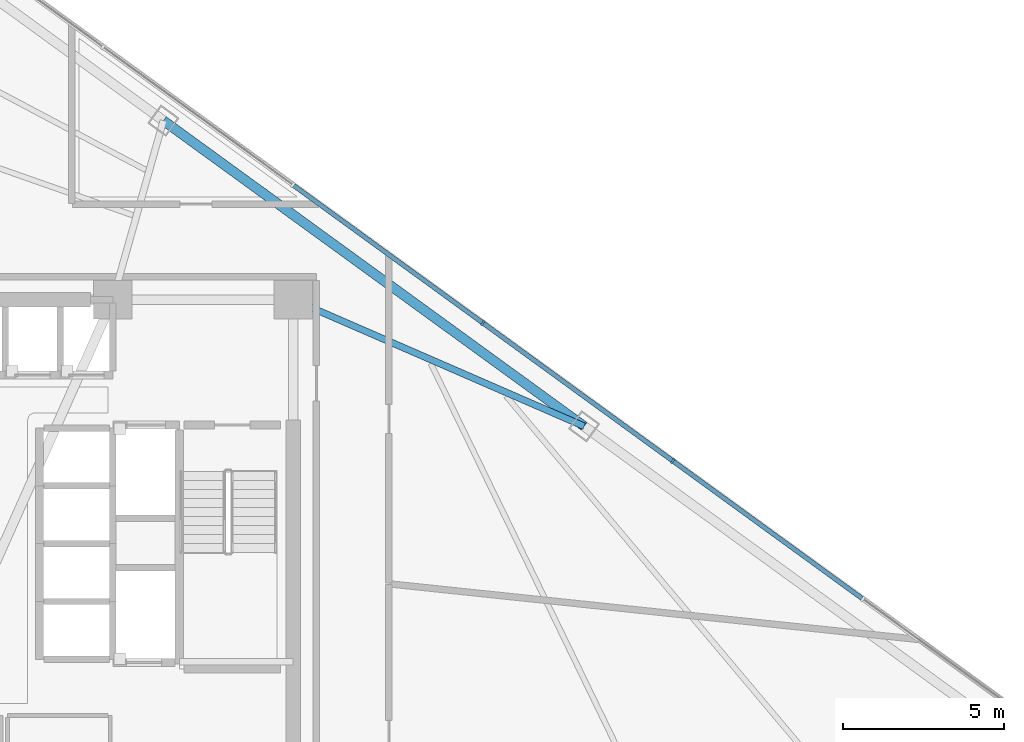
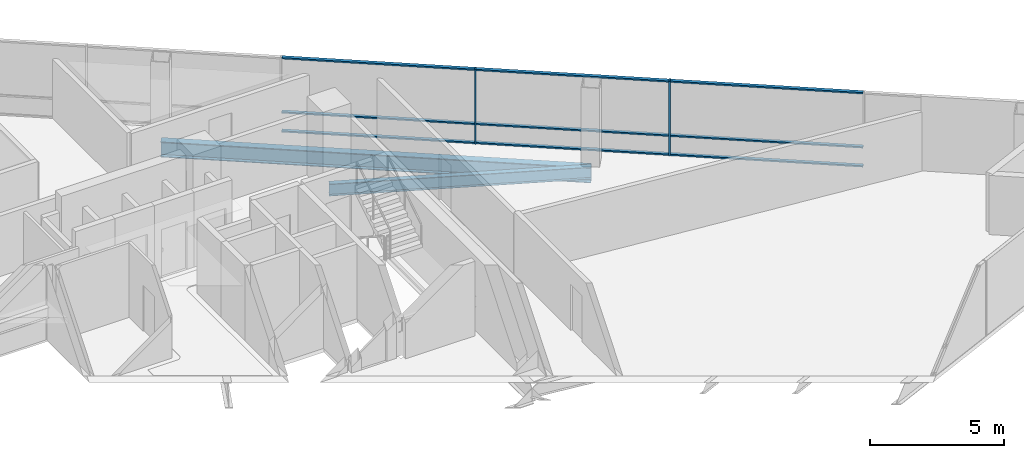
# One storey, part 9 of 17: 11 members, 2 beams, 1 element without a shape of its own.
"""IFC4 building model written with IfcOpenShell, lengths in metres."""

from ifc_helpers import new_model, si_unit, direction, frame, origin, origin_2d, place, context, subcontext, project, spatial, rectangle, i_section, extrude, material, layer, layer_set, material_profile, profile_set, type_object, element, aggregate, save


model = new_model("IFC4")

# Units and contexts
model_context = context("Model", 3, precision=1e-05, world=origin(), true_north=direction((0.0, 1.0)))
body_context = subcontext(model_context, "Body", "Model", "MODEL_VIEW")
ifc_project = project(units=[si_unit("LENGTHUNIT", "METRE"), si_unit("AREAUNIT", "SQUARE_METRE"), si_unit("VOLUMEUNIT", "CUBIC_METRE"), si_unit("PLANEANGLEUNIT", "RADIAN"), si_unit("MASSUNIT", "GRAM", prefix="KILO")], contexts=[model_context])

# Site, building, storey
site_placement = place(None, origin())
site = spatial("IfcSite", under=ifc_project, at=site_placement, CompositionType="ELEMENT")
building_placement = place(site_placement, origin())
building = spatial("IfcBuilding", under=site, at=building_placement, Name="Tharavind Bronze Gate", CompositionType="ELEMENT")
storey_placement = place(building_placement, frame((0.0, 0.0, 119.64990234375)))
storey = spatial("IfcBuildingStorey", under=building, at=storey_placement, Name="L30", CompositionType="ELEMENT", Elevation=119.64990234375)

# Curtain wall, members
ifc_material_1 = material(Name="Anodised Bronze Aluminium", Category="aluminium")
ifc_layer = layer(ifc_material_1, 0.219970703125)
ifc_layer_set = layer_set([ifc_layer], Name="Anodised Bronze Aluminium")
curtain_wall_type = type_object("IfcCurtainWallType", Name="UNITISED CURTAIN WALL LOWER OFFICE", PredefinedType="USERDEFINED", material=ifc_layer_set)
curtain_wall_placement = place(storey_placement, origin())
curtain_wall = element("IfcCurtainWall", 1, at=curtain_wall_placement, inside=storey, type_object=curtain_wall_type, Name="L30 unitised curtain wall lower office CW-L30-S3", ObjectType="UNITISED CURTAIN WALL", PredefinedType="USERDEFINED")
member_type_1 = type_object("IfcMemberType", Name="CURTAIN WALL BRONZE MULLION 65X180", PredefinedType="MULLION", material=ifc_material_1)
member_1_placement = place(storey_placement, frame((20.724365234375, 2.577392578125, 0.0), z_axis=(0.0, 0.0, 1.0), x_axis=(-0.809016994375, 0.587785252292, 0.0)))
member_1 = element("IfcMember", 2, at=member_1_placement, type_object=member_type_1, Name="CW-L30-S3 mullion 3", PredefinedType="MULLION", context=body_context, shape_type="SweptSolid", body=[
    extrude(rectangle(XDim=0.06494140625, YDim=0.179931640625, at=origin_2d()), origin(), (0.0, 0.0, 1.0), 3.409912109375),
])
member_2_placement = place(storey_placement, frame((14.807861328125, 6.876220703125, 0.0), z_axis=(0.0, 0.0, 1.0), x_axis=(-0.809016994375, 0.587785252292, 0.0)))
member_2 = element("IfcMember", 3, at=member_2_placement, type_object=member_type_1, Name="CW-L30-S3 mullion 4", PredefinedType="MULLION", context=body_context, shape_type="SweptSolid", body=[
    extrude(rectangle(XDim=0.06494140625, YDim=0.179931640625, at=origin_2d()), origin(), (0.0, 0.0, 1.0), 3.409912109375),
])
member_type_2 = type_object("IfcMemberType", Name="CURTAIN WALL BRONZE TRANSOM 65X140", PredefinedType="USERDEFINED", material=ifc_material_1)
member_3_placement = place(storey_placement, frame((23.6826171875, 0.427978515625, 0.000244140625), z_axis=(0.0, 0.0, 1.0), x_axis=(-0.809016994375, 0.587785252292, 0.0)))
member_3 = element("IfcMember", 4, at=member_3_placement, type_object=member_type_2, Name="CW-L30-S3 transom TB2", ObjectType="TRANSOM", PredefinedType="USERDEFINED", context=body_context, shape_type="SweptSolid", body=[
    extrude(rectangle(XDim=7.260498046875, YDim=0.139892578125, at=origin_2d()), origin(), (0.0, 0.0, 1.0), 0.06494140625),
])
member_4_placement = place(storey_placement, frame((23.6826171875, 0.427978515625, 0.86767578125), z_axis=(0.0, 0.0, 1.0), x_axis=(-0.809016994375, 0.587785252292, 0.0)))
member_4 = element("IfcMember", 5, at=member_4_placement, type_object=member_type_2, Name="CW-L30-S3 transom TS2", ObjectType="TRANSOM", PredefinedType="USERDEFINED", context=body_context, shape_type="SweptSolid", body=[
    extrude(rectangle(XDim=7.260498046875, YDim=0.139892578125, at=origin_2d()), origin(), (0.0, 0.0, 1.0), 0.06494140625),
])
member_5_placement = place(storey_placement, frame((23.6826171875, 0.427978515625, 3.34521484375), z_axis=(0.0, 0.0, 1.0), x_axis=(-0.809016994375, 0.587785252292, 0.0)))
member_5 = element("IfcMember", 6, at=member_5_placement, type_object=member_type_2, Name="CW-L30-S3 transom TT2", ObjectType="TRANSOM", PredefinedType="USERDEFINED", context=body_context, shape_type="SweptSolid", body=[
    extrude(rectangle(XDim=7.260498046875, YDim=0.139892578125, at=origin_2d()), origin(), (0.0, 0.0, 1.0), 0.06494140625),
])
member_6_placement = place(storey_placement, frame((17.76611328125, 4.726806640625, 0.000244140625), z_axis=(0.0, 0.0, 1.0), x_axis=(-0.809016994375, 0.587785252292, 0.0)))
member_6 = element("IfcMember", 7, at=member_6_placement, type_object=member_type_2, Name="CW-L30-S3 transom TB3", ObjectType="TRANSOM", PredefinedType="USERDEFINED", context=body_context, shape_type="SweptSolid", body=[
    extrude(rectangle(XDim=7.260498046875, YDim=0.139892578125, at=origin_2d()), origin(), (0.0, 0.0, 1.0), 0.06494140625),
])
member_7_placement = place(storey_placement, frame((17.76611328125, 4.726806640625, 0.86767578125), z_axis=(0.0, 0.0, 1.0), x_axis=(-0.809016994375, 0.587785252292, 0.0)))
member_7 = element("IfcMember", 8, at=member_7_placement, type_object=member_type_2, Name="CW-L30-S3 transom TS3", ObjectType="TRANSOM", PredefinedType="USERDEFINED", context=body_context, shape_type="SweptSolid", body=[
    extrude(rectangle(XDim=7.260498046875, YDim=0.139892578125, at=origin_2d()), origin(), (0.0, 0.0, 1.0), 0.06494140625),
])
member_8_placement = place(storey_placement, frame((17.76611328125, 4.726806640625, 3.34521484375), z_axis=(0.0, 0.0, 1.0), x_axis=(-0.809016994375, 0.587785252292, 0.0)))
member_8 = element("IfcMember", 9, at=member_8_placement, type_object=member_type_2, Name="CW-L30-S3 transom TT3", ObjectType="TRANSOM", PredefinedType="USERDEFINED", context=body_context, shape_type="SweptSolid", body=[
    extrude(rectangle(XDim=7.260498046875, YDim=0.139892578125, at=origin_2d()), origin(), (0.0, 0.0, 1.0), 0.06494140625),
])
member_9_placement = place(storey_placement, frame((11.849365234375, 9.025390625, 0.000244140625), z_axis=(0.0, 0.0, 1.0), x_axis=(-0.809016994375, 0.587785252292, 0.0)))
member_9 = element("IfcMember", 10, at=member_9_placement, type_object=member_type_2, Name="CW-L30-S3 transom TB4", ObjectType="TRANSOM", PredefinedType="USERDEFINED", context=body_context, shape_type="SweptSolid", body=[
    extrude(rectangle(XDim=7.260498046875, YDim=0.139892578125, at=origin_2d()), origin(), (0.0, 0.0, 1.0), 0.06494140625),
])
member_10_placement = place(storey_placement, frame((11.849365234375, 9.025390625, 0.86767578125), z_axis=(0.0, 0.0, 1.0), x_axis=(-0.809016994375, 0.587785252292, 0.0)))
member_10 = element("IfcMember", 11, at=member_10_placement, type_object=member_type_2, Name="CW-L30-S3 transom TS4", ObjectType="TRANSOM", PredefinedType="USERDEFINED", context=body_context, shape_type="SweptSolid", body=[
    extrude(rectangle(XDim=7.260498046875, YDim=0.139892578125, at=origin_2d()), origin(), (0.0, 0.0, 1.0), 0.06494140625),
])
member_11_placement = place(storey_placement, frame((11.849365234375, 9.025390625, 3.34521484375), z_axis=(0.0, 0.0, 1.0), x_axis=(-0.809016994375, 0.587785252292, 0.0)))
member_11 = element("IfcMember", 12, at=member_11_placement, type_object=member_type_2, Name="CW-L30-S3 transom TT4", ObjectType="TRANSOM", PredefinedType="USERDEFINED", context=body_context, shape_type="SweptSolid", body=[
    extrude(rectangle(XDim=7.260498046875, YDim=0.139892578125, at=origin_2d()), origin(), (0.0, 0.0, 1.0), 0.06494140625),
])
aggregate(curtain_wall, [member_1, member_2, member_3, member_4, member_5, member_6, member_7, member_8, member_9, member_10, member_11])

# Beams
ifc_material_2 = material(Name="Steel S355", Category="steel")
ifc_material_profile_1 = material_profile(ifc_material_2, i_section(OverallWidth=0.2099609375, OverallDepth=0.550048828125, WebThickness=0.010986328125, FlangeThickness=0.01708984375, at=origin_2d()), Name="IPE550")
ifc_profile_set_1 = profile_set([ifc_material_profile_1], Name="Steel S355")
beam_type_1 = type_object("IfcBeamType", Name="PRIMARY GIRDER IPE550", PredefinedType="USERDEFINED", material=ifc_profile_set_1)
beam_1_placement = place(storey_placement, frame((17.961181640625, 3.658203125, -0.46484375), z_axis=(-0.916988336064, 0.398914015199, 0.0), x_axis=(-0.398914015199, -0.916988336064, 0.0)))
element("IfcBeam", 13, at=beam_1_placement, inside=storey, type_object=beam_type_1, Name="L30 primary girder ipe550 BM-L30-RAD10", ObjectType="GIRDER", PredefinedType="USERDEFINED", context=body_context, shape_type="SweptSolid", body=[
    extrude(i_section(OverallWidth=0.2099609375, OverallDepth=0.550048828125, WebThickness=0.010986328125, FlangeThickness=0.01708984375, at=origin_2d()), origin(), (0.0, 0.0, 1.0), 9.881591796875),
])
ifc_material_profile_2 = material_profile(ifc_material_2, i_section(OverallWidth=0.300048828125, OverallDepth=0.699951171875, WebThickness=0.01708984375, FlangeThickness=0.031982421875, at=origin_2d()), Name="HE700B")
ifc_profile_set_2 = profile_set([ifc_material_profile_2], Name="Steel S355")
beam_type_2 = type_object("IfcBeamType", Name="RING GIRDER HE700B", PredefinedType="USERDEFINED", material=ifc_profile_set_2)
beam_2_placement = place(storey_placement, frame((17.961181640625, 3.658203125, -0.539794921875), z_axis=(-0.809019501524, 0.587781801482, 0.0), x_axis=(-0.587781801482, -0.809019501524, 0.0)))
element("IfcBeam", 14, at=beam_2_placement, inside=storey, type_object=beam_type_2, Name="L30 ring girder he700b BM-L30-PRG10", ObjectType="GIRDER", PredefinedType="USERDEFINED", context=body_context, shape_type="SweptSolid", body=[
    extrude(i_section(OverallWidth=0.300048828125, OverallDepth=0.699951171875, WebThickness=0.01708984375, FlangeThickness=0.031982421875, at=origin_2d()), origin(), (0.0, 0.0, 1.0), 16.198486328125),
])

save(model, "model.ifc")
